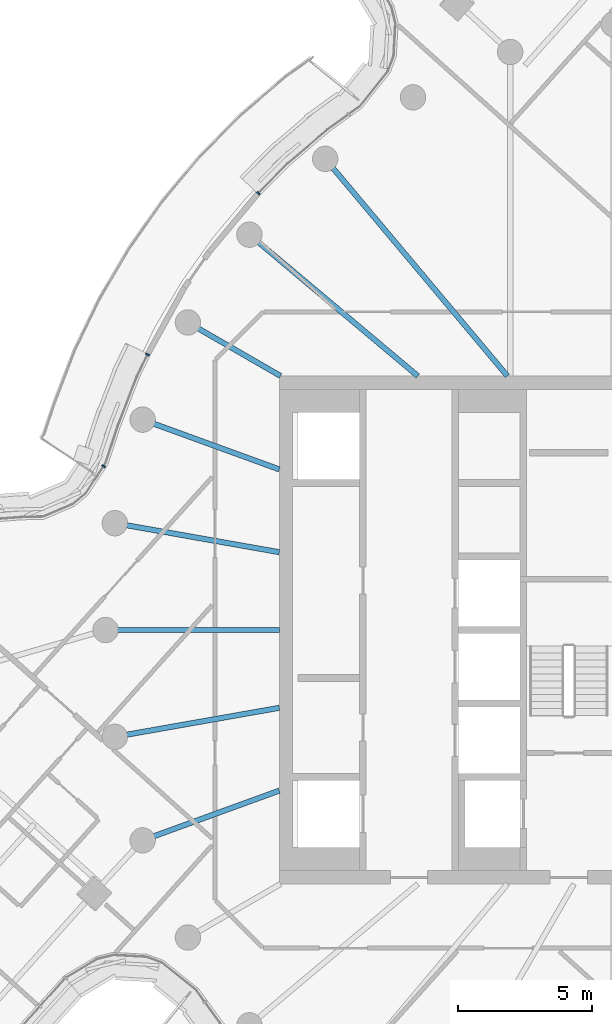
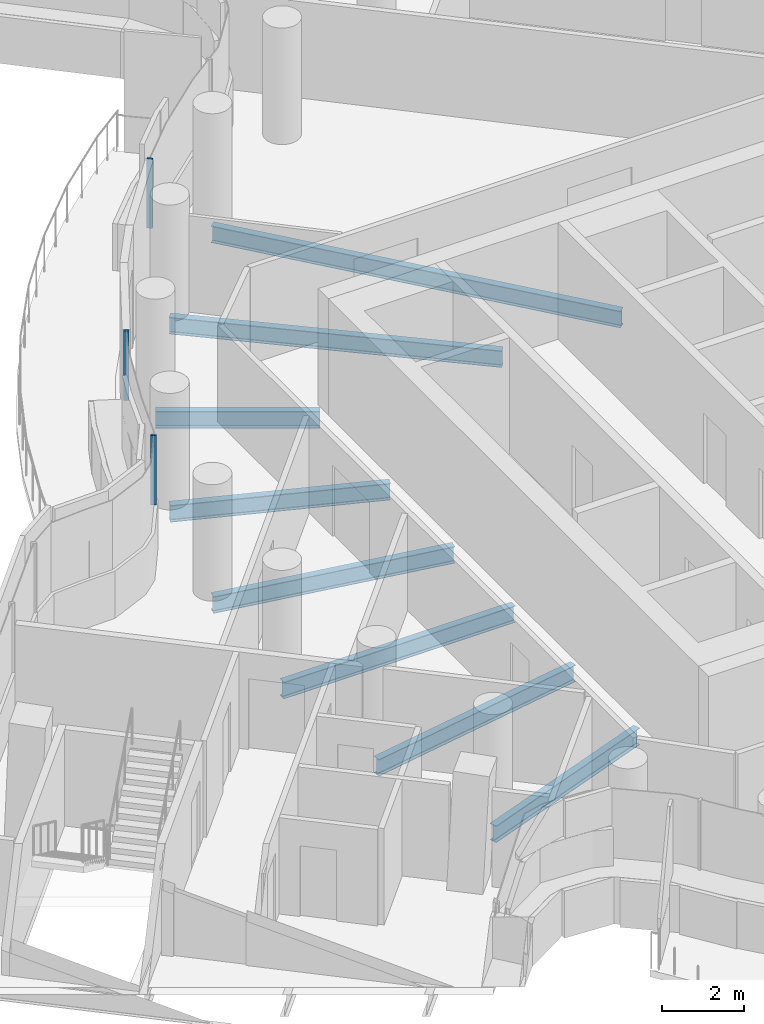
# One storey, part 9 of 31: 8 beams, 3 members, 1 element without a shape of its own.
"""IFC4 building model written with IfcOpenShell, lengths in metres."""

from ifc_helpers import new_model, si_unit, direction, frame, origin, origin_2d, place, context, subcontext, project, spatial, rectangle, i_section, extrude, material, layer, layer_set, material_profile, profile_set, type_object, element, aggregate, save


model = new_model("IFC4")

# Units and contexts
model_context = context("Model", 3, precision=1e-05, world=origin(), true_north=direction((0.0, 1.0)))
body_context = subcontext(model_context, "Body", "Model", "MODEL_VIEW")
ifc_project = project(units=[si_unit("LENGTHUNIT", "METRE"), si_unit("AREAUNIT", "SQUARE_METRE"), si_unit("VOLUMEUNIT", "CUBIC_METRE"), si_unit("PLANEANGLEUNIT", "RADIAN"), si_unit("MASSUNIT", "GRAM", prefix="KILO")], contexts=[model_context])

# Site, building, storey
site_placement = place(None, origin())
site = spatial("IfcSite", under=ifc_project, at=site_placement, CompositionType="ELEMENT")
building_placement = place(site_placement, origin())
building = spatial("IfcBuilding", under=site, at=building_placement, Name="Tamarind Cross Interchange Tower", CompositionType="ELEMENT")
storey_placement = place(building_placement, frame((0.0, 0.0, 207.699951171875)))
storey = spatial("IfcBuildingStorey", under=building, at=storey_placement, Name="L52", CompositionType="ELEMENT", Elevation=207.699951171875)

# Beams
ifc_material_1 = material(Name="Steel Q355B", Category="steel")
ifc_material_profile_1 = material_profile(ifc_material_1, i_section(OverallWidth=0.198974609375, OverallDepth=0.49609375, WebThickness=0.009033203125, FlangeThickness=0.013916015625, FilletRadius=0.012939453125, at=origin_2d()), Name="HN 496x199x9x14")
ifc_profile_set_1 = profile_set([ifc_material_profile_1], Name="Steel Q355B")
beam_type = type_object("IfcBeamType", Name="Composite beam HN 496x199x9x14 Q355B", PredefinedType="BEAM", material=ifc_profile_set_1)
beam_1_placement = place(storey_placement, frame((-14.7841796875, 17.619140625, -0.387939453125), z_axis=(0.642786293979, -0.766045547127, 0.0), x_axis=(0.766045547127, 0.642786293979, 0.0)))
element("IfcBeam", 1, at=beam_1_placement, inside=storey, type_object=beam_type, Name="Beam HH13", PredefinedType="BEAM", context=body_context, shape_type="SweptSolid", body=[
    extrude(i_section(OverallWidth=0.198974609375, OverallDepth=0.49609375, WebThickness=0.009033203125, FlangeThickness=0.013916015625, FilletRadius=0.012939453125, at=origin_2d()), origin(), (0.0, 0.0, 1.0), 10.598876953125),
])
beam_2_placement = place(storey_placement, frame((-17.619140625, 14.7841796875, -0.387939453125), z_axis=(0.766040580814, -0.642792212574, 0.0), x_axis=(0.642792212574, 0.766040580814, 0.0)))
element("IfcBeam", 2, at=beam_2_placement, inside=storey, type_object=beam_type, Name="Beam HH14", PredefinedType="BEAM", context=body_context, shape_type="SweptSolid", body=[
    extrude(i_section(OverallWidth=0.198974609375, OverallDepth=0.49609375, WebThickness=0.009033203125, FlangeThickness=0.013916015625, FilletRadius=0.012939453125, at=origin_2d()), origin(), (0.0, 0.0, 1.0), 8.220703125),
])
beam_3_placement = place(storey_placement, frame((-19.918701171875, 11.5, -0.387939453125), z_axis=(0.866026010844, -0.49999894854, 0.0), x_axis=(0.49999894854, 0.866026010844, 0.0)))
element("IfcBeam", 3, at=beam_3_placement, inside=storey, type_object=beam_type, Name="Beam HH15", PredefinedType="BEAM", context=body_context, shape_type="SweptSolid", body=[
    extrude(i_section(OverallWidth=0.198974609375, OverallDepth=0.49609375, WebThickness=0.009033203125, FlangeThickness=0.013916015625, FilletRadius=0.012939453125, at=origin_2d()), origin(), (0.0, 0.0, 1.0), 4.0),
])
beam_4_placement = place(storey_placement, frame((-21.613037109375, 7.866455078125, -0.387939453125), z_axis=(0.939701685589, -0.341995236956, 0.0), x_axis=(0.341995236956, 0.939701685589, 0.0)))
element("IfcBeam", 4, at=beam_4_placement, inside=storey, type_object=beam_type, Name="Beam HH16", PredefinedType="BEAM", context=body_context, shape_type="SweptSolid", body=[
    extrude(i_section(OverallWidth=0.198974609375, OverallDepth=0.49609375, WebThickness=0.009033203125, FlangeThickness=0.013916015625, FilletRadius=0.012939453125, at=origin_2d()), origin(), (0.0, 0.0, 1.0), 5.441162109375),
])
beam_5_placement = place(storey_placement, frame((-22.650634765625, 3.993896484375, -0.387939453125), z_axis=(0.984809127561, -0.173640382036, 0.0), x_axis=(0.173640382036, 0.984809127561, 0.0)))
element("IfcBeam", 5, at=beam_5_placement, inside=storey, type_object=beam_type, Name="Beam HH17", PredefinedType="BEAM", context=body_context, shape_type="SweptSolid", body=[
    extrude(i_section(OverallWidth=0.198974609375, OverallDepth=0.49609375, WebThickness=0.009033203125, FlangeThickness=0.013916015625, FilletRadius=0.012939453125, at=origin_2d()), origin(), (0.0, 0.0, 1.0), 6.24560546875),
])
beam_6_placement = place(storey_placement, frame((-23.0, 0.0, -0.387939453125), z_axis=(1.0, 0.0, 0.0), x_axis=(0.0, 1.0, 0.0)))
element("IfcBeam", 6, at=beam_6_placement, inside=storey, type_object=beam_type, Name="Beam HH18", PredefinedType="BEAM", context=body_context, shape_type="SweptSolid", body=[
    extrude(i_section(OverallWidth=0.198974609375, OverallDepth=0.49609375, WebThickness=0.009033203125, FlangeThickness=0.013916015625, FilletRadius=0.012939453125, at=origin_2d()), origin(), (0.0, 0.0, 1.0), 6.5),
])
beam_7_placement = place(storey_placement, frame((-22.650634765625, -3.993896484375, -0.387939453125), z_axis=(0.984809127561, 0.173640382036, 0.0), x_axis=(-0.173640382036, 0.984809127561, 0.0)))
element("IfcBeam", 7, at=beam_7_placement, inside=storey, type_object=beam_type, Name="Beam HH19", PredefinedType="BEAM", context=body_context, shape_type="SweptSolid", body=[
    extrude(i_section(OverallWidth=0.198974609375, OverallDepth=0.49609375, WebThickness=0.009033203125, FlangeThickness=0.013916015625, FilletRadius=0.012939453125, at=origin_2d()), origin(), (0.0, 0.0, 1.0), 6.24560546875),
])
beam_8_placement = place(storey_placement, frame((-21.613037109375, -7.866455078125, -0.387939453125), z_axis=(0.939701685589, 0.341995236956, 0.0), x_axis=(-0.341995236956, 0.939701685589, 0.0)))
element("IfcBeam", 8, at=beam_8_placement, inside=storey, type_object=beam_type, Name="Beam HH20", PredefinedType="BEAM", context=body_context, shape_type="SweptSolid", body=[
    extrude(i_section(OverallWidth=0.198974609375, OverallDepth=0.49609375, WebThickness=0.009033203125, FlangeThickness=0.013916015625, FilletRadius=0.012939453125, at=origin_2d()), origin(), (0.0, 0.0, 1.0), 5.441162109375),
])

# Curtain wall, members
ifc_material_2 = material(Name="Aluminium 6063-T6", Category="aluminium")
ifc_layer = layer(ifc_material_2, 0.139892578125)
ifc_layer_set = layer_set([ifc_layer], Name="Aluminium 6063-T6")
curtain_wall_type = type_object("IfcCurtainWallType", Name="Hotel curtain wall, 4.5 m bays", PredefinedType="NOTDEFINED", material=ifc_layer_set)
curtain_wall_placement = place(storey_placement, origin())
curtain_wall = element("IfcCurtainWall", 9, at=curtain_wall_placement, inside=storey, type_object=curtain_wall_type, Name="CWS-L52-10", PredefinedType="NOTDEFINED")
ifc_material_profile_2 = material_profile(ifc_material_2, rectangle(XDim=0.06005859375, YDim=0.139892578125, at=origin_2d()), Name="Mullion CW2")
ifc_profile_set_2 = profile_set([ifc_material_profile_2], Name="Aluminium 6063-T6")
member_type = type_object("IfcMemberType", Name="Mullion CW2", PredefinedType="MULLION", material=ifc_profile_set_2)
member_1_placement = place(storey_placement, frame((-17.283203125, 16.336669921875, 1.400146484375), z_axis=(0.0, 0.0, 1.0), x_axis=(-0.704057148523, -0.710143317658, 0.0)))
member_1 = element("IfcMember", 10, at=member_1_placement, type_object=member_type, Name="CWM-L52-10-02", PredefinedType="MULLION", context=body_context, shape_type="SweptSolid", body=[
    extrude(rectangle(XDim=0.06005859375, YDim=0.139892578125, at=origin_2d()), origin(), (0.0, 0.0, 1.0), 2.059814453125),
])
member_2_placement = place(storey_placement, frame((-21.427978515625, 10.30126953125, 1.400146484375), z_axis=(0.0, 0.0, 1.0), x_axis=(-0.435326231914, -0.900272776334, 0.0)))
member_2 = element("IfcMember", 11, at=member_2_placement, type_object=member_type, Name="CWM-L52-10-03", PredefinedType="MULLION", context=body_context, shape_type="SweptSolid", body=[
    extrude(rectangle(XDim=0.06005859375, YDim=0.139892578125, at=origin_2d()), origin(), (0.0, 0.0, 1.0), 2.059814453125),
])
member_3_placement = place(storey_placement, frame((-23.072509765625, 6.125, 1.400146484375), z_axis=(0.0, 0.0, 1.0), x_axis=(-0.549105324776, -0.835753158715, 0.0)))
member_3 = element("IfcMember", 12, at=member_3_placement, type_object=member_type, Name="CWM-L52-10-04", PredefinedType="MULLION", context=body_context, shape_type="SweptSolid", body=[
    extrude(rectangle(XDim=0.06005859375, YDim=0.139892578125, at=origin_2d()), origin(), (0.0, 0.0, 1.0), 2.059814453125),
])
aggregate(curtain_wall, [member_1, member_2, member_3])

save(model, "model.ifc")
